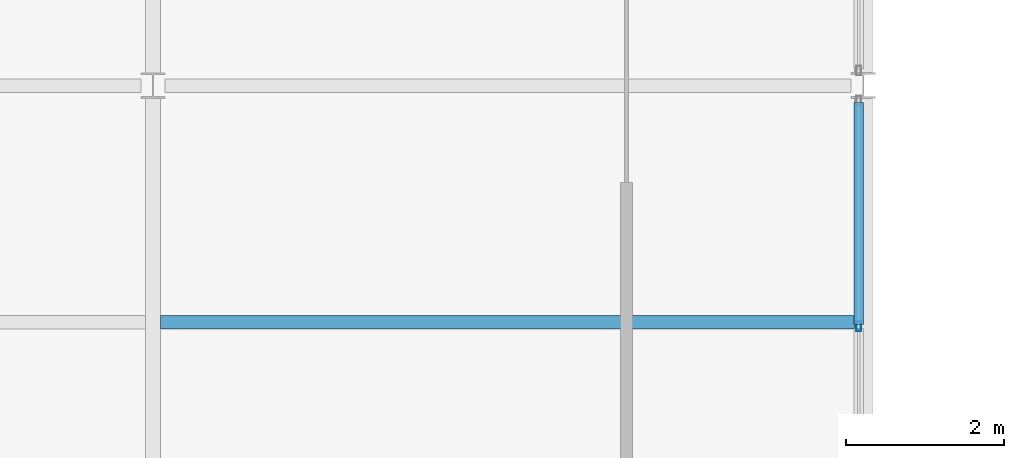
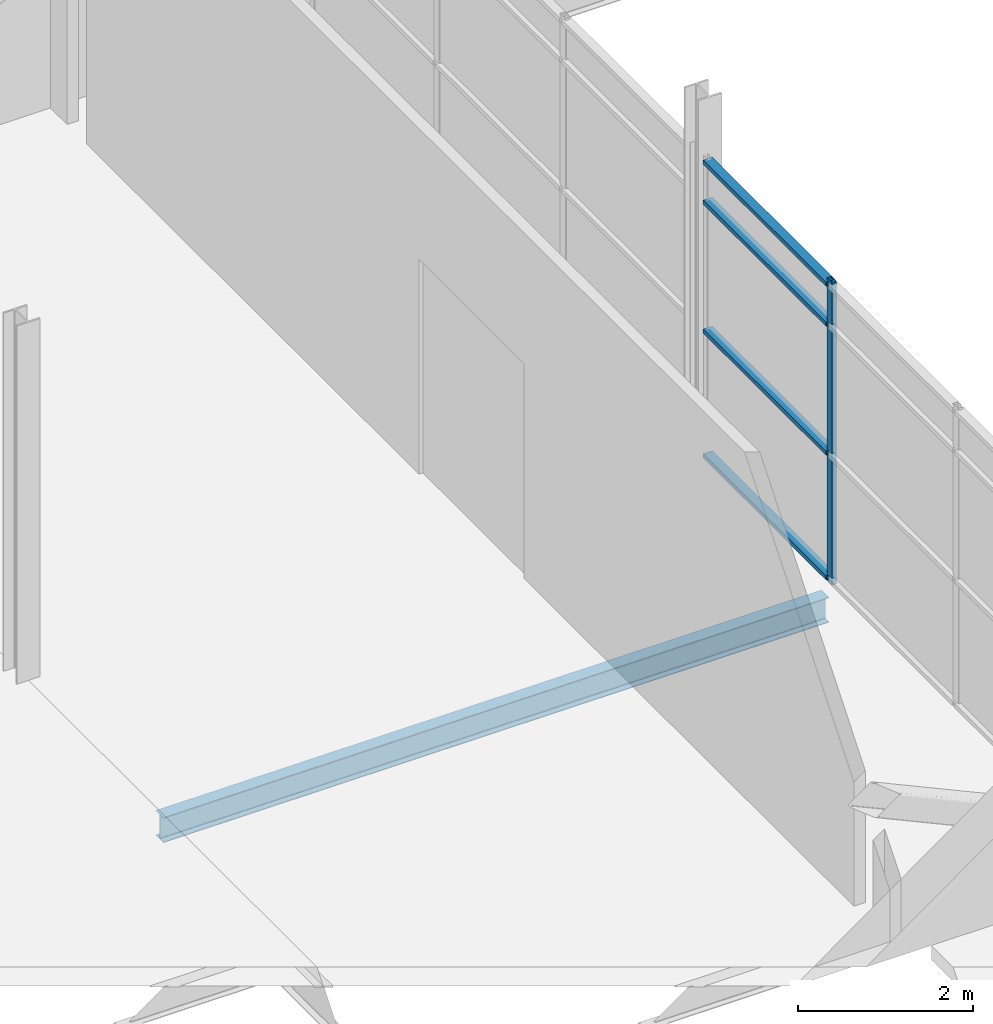
# One storey, part 36 of 112: 5 members, 1 beam, 1 element without a shape of its own.
"""IFC4 building model written with IfcOpenShell, lengths in metres."""

from ifc_helpers import new_model, si_unit, direction, frame, origin, origin_2d, place, context, subcontext, project, spatial, hollow_rectangle, i_section, extrude, material, layer, layer_set, material_profile, profile_set, type_object, element, aggregate, save


model = new_model("IFC4")

# Units and contexts
model_context = context("Model", 3, precision=1e-05, world=origin(), true_north=direction((0.0, 1.0)))
body_context = subcontext(model_context, "Body", "Model", "MODEL_VIEW")
ifc_project = project(units=[si_unit("LENGTHUNIT", "METRE"), si_unit("AREAUNIT", "SQUARE_METRE"), si_unit("VOLUMEUNIT", "CUBIC_METRE"), si_unit("PLANEANGLEUNIT", "RADIAN"), si_unit("MASSUNIT", "GRAM", prefix="KILO")], contexts=[model_context])

# Site, building, storey
site_placement = place(None, origin())
site = spatial("IfcSite", under=ifc_project, at=site_placement, CompositionType="ELEMENT")
building_placement = place(site_placement, origin())
building = spatial("IfcBuilding", under=site, at=building_placement, Name="Shorebreak Coast Museum", CompositionType="ELEMENT")
storey_placement = place(building_placement, frame((0.0, 0.0, 6.0)))
storey = spatial("IfcBuildingStorey", under=building, at=storey_placement, Name="L01", CompositionType="ELEMENT", Elevation=6.0)

# Beam
ifc_material_1 = material(Name="Steel Grade 300", Category="steel")
ifc_material_profile_1 = material_profile(ifc_material_1, i_section(OverallWidth=0.1708984375, OverallDepth=0.35205078125, WebThickness=0.0068359375, FlangeThickness=0.009765625, FilletRadius=0.011474609375, at=origin_2d()), Name="360UB44.7")
ifc_profile_set_1 = profile_set([ifc_material_profile_1], Name="Steel Grade 300")
beam_type = type_object("IfcBeamType", Name="Floor joist 360UB44.7", PredefinedType="JOIST", material=ifc_profile_set_1)
beam_placement = place(storey_placement, frame((54.095458984375, 69.0, -0.35107421875), z_axis=(1.0, 0.0, 0.0), x_axis=(0.0, 1.0, 0.0)))
element("IfcBeam", 1, at=beam_placement, inside=storey, type_object=beam_type, Name="Floor joist L01 bay 7H at 6000 mm", PredefinedType="JOIST", context=body_context, shape_type="SweptSolid", body=[
    extrude(i_section(OverallWidth=0.1708984375, OverallDepth=0.35205078125, WebThickness=0.0068359375, FlangeThickness=0.009765625, FilletRadius=0.011474609375, at=origin_2d()), origin(), (0.0, 0.0, 1.0), 8.79052734375),
])

# Curtain wall, members
ifc_material_2 = material(Name="Aluminium", Category="aluminium")
ifc_layer = layer(ifc_material_2, 0.1201171875)
ifc_layer_set = layer_set([ifc_layer], Name="Aluminium")
curtain_wall_type = type_object("IfcCurtainWallType", Name="Atrium fire screen", PredefinedType="NOTDEFINED", material=ifc_layer_set)
curtain_wall_placement = place(storey_placement, origin())
curtain_wall = element("IfcCurtainWall", 2, at=curtain_wall_placement, inside=storey, type_object=curtain_wall_type, Name="Atrium screen L01 W 12", PredefinedType="NOTDEFINED")
ifc_material_3 = material(Name="Aluminium", Category="aluminium")
ifc_material_profile_2 = material_profile(ifc_material_3, hollow_rectangle(XDim=0.06005859375, YDim=0.1201171875, WallThickness=0.00341796875, at=origin_2d()), Name="AL 120x60 RHS")
ifc_profile_set_2 = profile_set([ifc_material_profile_2], Name="Aluminium")
member_type_1 = type_object("IfcMemberType", Name="Screen mullion 50 x 120", PredefinedType="MULLION", material=ifc_profile_set_2)
member_1_placement = place(storey_placement, frame((62.93994140625, 68.9501953125, 0.0), z_axis=(0.0, 0.0, 1.0), x_axis=(-1.0, 0.0, 0.0)))
member_1 = element("IfcMember", 3, at=member_1_placement, type_object=member_type_1, Name="CW4 mullion 3", PredefinedType="MULLION", context=body_context, shape_type="SweptSolid", body=[
    extrude(hollow_rectangle(XDim=0.06005859375, YDim=0.1201171875, WallThickness=0.00341796875, at=origin_2d()), origin(), (0.0, 0.0, 1.0), 4.218017578125),
])
ifc_material_4 = material(Name="Aluminium", Category="aluminium")
ifc_material_profile_3 = material_profile(ifc_material_4, hollow_rectangle(XDim=0.1201171875, YDim=0.06005859375, WallThickness=0.00341796875, at=origin_2d()), Name="AL 60x120 RHS")
ifc_profile_set_3 = profile_set([ifc_material_profile_3], Name="Aluminium")
member_type_2 = type_object("IfcMemberType", Name="Screen transom 120 x 50", PredefinedType="USERDEFINED", material=ifc_profile_set_3)
member_2_placement = place(storey_placement, frame((62.93994140625, 68.97509765625, 0.06005859375), z_axis=(0.0, 1.0, 0.0), x_axis=(-1.0, 0.0, 0.0)))
member_2 = element("IfcMember", 4, at=member_2_placement, type_object=member_type_2, Name="CW4 transom 3.1", ObjectType="TRANSOM", PredefinedType="USERDEFINED", context=body_context, shape_type="SweptSolid", body=[
    extrude(hollow_rectangle(XDim=0.1201171875, YDim=0.06005859375, WallThickness=0.00341796875, at=origin_2d()), origin(), (0.0, 0.0, 1.0), 2.811279296875),
])
member_3_placement = place(storey_placement, frame((62.93994140625, 68.97509765625, 1.800048828125), z_axis=(0.0, 1.0, 0.0), x_axis=(-1.0, 0.0, 0.0)))
member_3 = element("IfcMember", 5, at=member_3_placement, type_object=member_type_2, Name="CW4 transom 3.2", ObjectType="TRANSOM", PredefinedType="USERDEFINED", context=body_context, shape_type="SweptSolid", body=[
    extrude(hollow_rectangle(XDim=0.1201171875, YDim=0.06005859375, WallThickness=0.00341796875, at=origin_2d()), origin(), (0.0, 0.0, 1.0), 2.811279296875),
])
member_4_placement = place(storey_placement, frame((62.93994140625, 68.97509765625, 3.60009765625), z_axis=(0.0, 1.0, 0.0), x_axis=(-1.0, 0.0, 0.0)))
member_4 = element("IfcMember", 6, at=member_4_placement, type_object=member_type_2, Name="CW4 transom 3.3", ObjectType="TRANSOM", PredefinedType="USERDEFINED", context=body_context, shape_type="SweptSolid", body=[
    extrude(hollow_rectangle(XDim=0.1201171875, YDim=0.06005859375, WallThickness=0.00341796875, at=origin_2d()), origin(), (0.0, 0.0, 1.0), 2.811279296875),
])
member_5_placement = place(storey_placement, frame((62.93994140625, 68.97509765625, 4.157958984375), z_axis=(0.0, 1.0, 0.0), x_axis=(-1.0, 0.0, 0.0)))
member_5 = element("IfcMember", 7, at=member_5_placement, type_object=member_type_2, Name="CW4 transom 3.4", ObjectType="TRANSOM", PredefinedType="USERDEFINED", context=body_context, shape_type="SweptSolid", body=[
    extrude(hollow_rectangle(XDim=0.1201171875, YDim=0.06005859375, WallThickness=0.00341796875, at=origin_2d()), origin(), (0.0, 0.0, 1.0), 2.811279296875),
])
aggregate(curtain_wall, [member_1, member_2, member_3, member_4, member_5])

save(model, "model.ifc")
